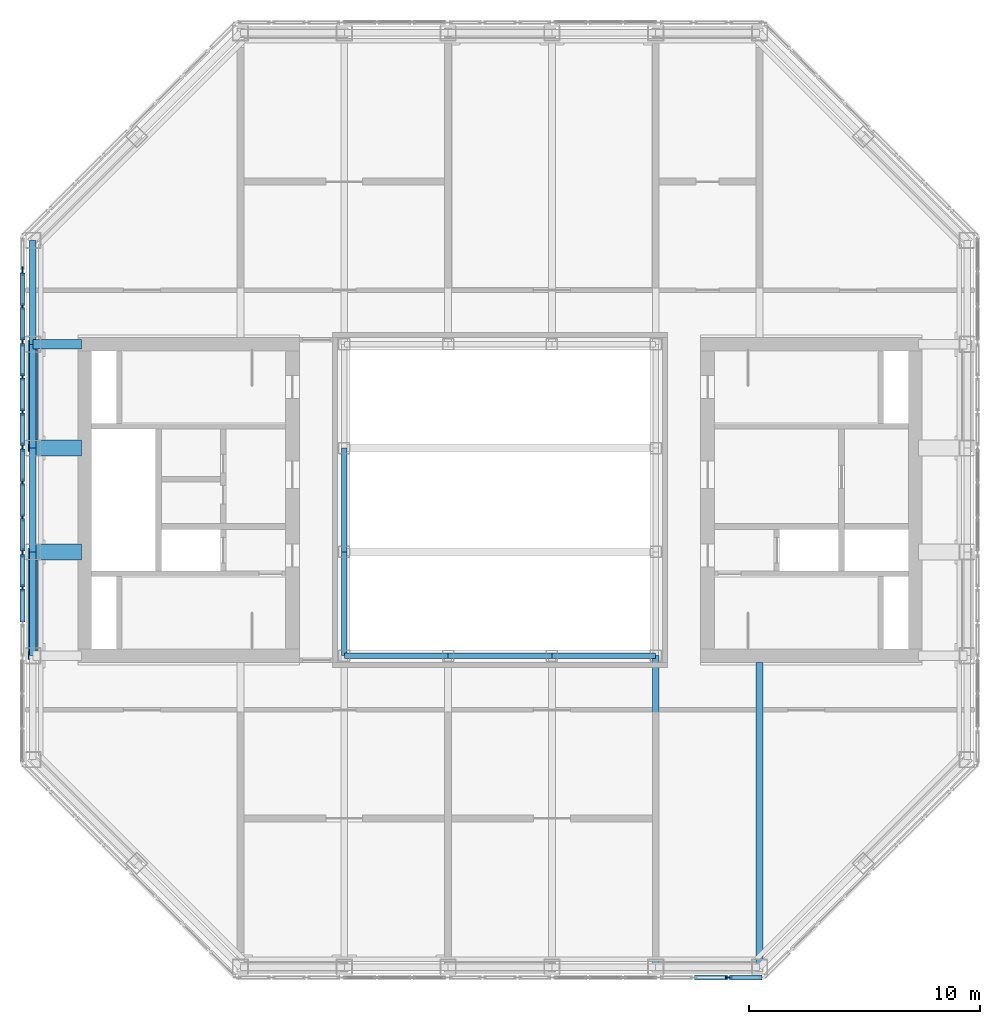
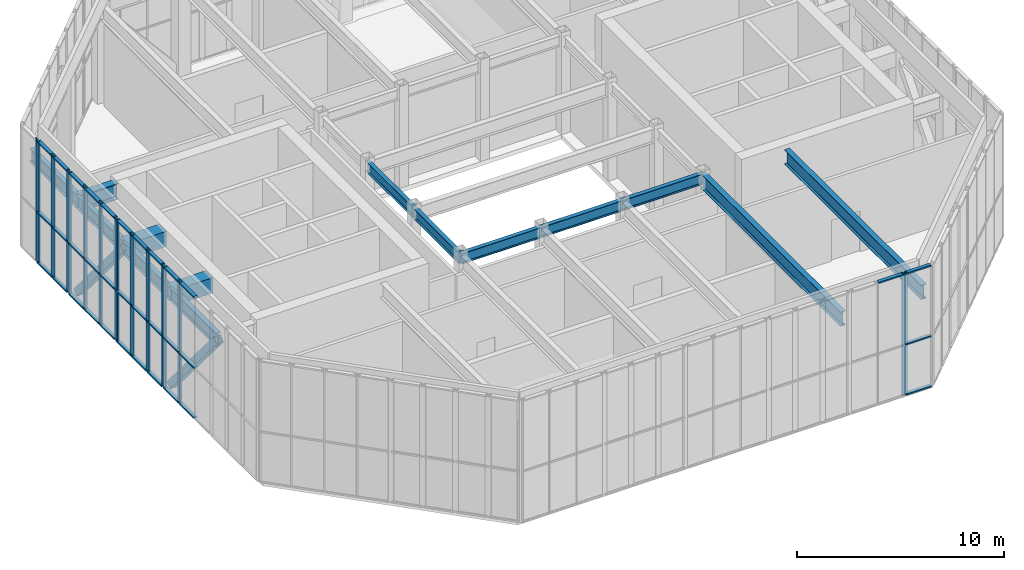
# One storey, part 4 of 15: 51 members, 14 beams, 6 elements without a shape of their own.
"""IFC4 building model written with IfcOpenShell, lengths in metres."""

from ifc_helpers import new_model, si_unit, direction, frame, origin, origin_2d, place, context, subcontext, project, spatial, rectangle, hollow_rectangle, i_section, extrude, material, material_profile, profile_set, type_object, element, aggregate, save


model = new_model("IFC4")

# Units and contexts
model_context = context("Model", 3, precision=1e-05, world=origin(), true_north=direction((0.0, 1.0)))
body_context = subcontext(model_context, "Body", "Model", "MODEL_VIEW")
ifc_project = project(units=[si_unit("LENGTHUNIT", "METRE"), si_unit("AREAUNIT", "SQUARE_METRE"), si_unit("VOLUMEUNIT", "CUBIC_METRE"), si_unit("PLANEANGLEUNIT", "RADIAN"), si_unit("MASSUNIT", "GRAM", prefix="KILO")], contexts=[model_context])

# Site, building, storey
site_placement = place(None, origin())
site = spatial("IfcSite", under=ifc_project, at=site_placement, CompositionType="ELEMENT")
building_placement = place(site_placement, origin())
building = spatial("IfcBuilding", under=site, at=building_placement, Name="Msasa Ring Tower", CompositionType="ELEMENT")
storey_placement = place(building_placement, frame((0.0, 0.0, 268.050048828125)))
storey = spatial("IfcBuildingStorey", under=building, at=storey_placement, Name="L69", CompositionType="ELEMENT", Elevation=268.050048828125)

# Curtain wall, members
ifc_material_1 = material(Name="Aluminium curtain wall with clear glass", Category="aluminium")
curtain_wall_type_1 = type_object("IfcCurtainWallType", Name="CW-L LANTERN CURTAIN WALL", PredefinedType="NOTDEFINED", material=ifc_material_1)
curtain_wall_1_placement = place(storey_placement, origin())
curtain_wall_1 = element("IfcCurtainWall", 1, at=curtain_wall_1_placement, inside=storey, type_object=curtain_wall_type_1, Name="Lantern curtain wall W2 L69", PredefinedType="NOTDEFINED")
ifc_material_2 = material(Name="Aluminium mullion", Category="aluminium")
ifc_material_profile_1 = material_profile(ifc_material_2, rectangle(XDim=0.080078125, YDim=0.300048828125, at=origin_2d()), Name="AL 80x300")
ifc_profile_set_1 = profile_set([ifc_material_profile_1], Name="Aluminium mullion")
member_type_1 = type_object("IfcMemberType", Name="CW-L MULLION 80x300", PredefinedType="MULLION", material=ifc_profile_set_1)
member_1_placement = place(storey_placement, frame((-20.699951171875, 9.87158203125, 0.0), z_axis=(0.0, 0.0, 1.0), x_axis=(1.0, 0.0, 0.0)))
member_1 = element("IfcMember", 2, at=member_1_placement, type_object=member_type_1, Name="CW-L mullion 1", PredefinedType="MULLION", context=body_context, shape_type="SweptSolid", body=[
    extrude(rectangle(XDim=0.080078125, YDim=0.300048828125, at=origin_2d()), origin(), (0.0, 0.0, 1.0), 7.199951171875),
])
member_2_placement = place(storey_placement, frame((-20.699951171875, 8.38671875, 0.0), z_axis=(0.0, 0.0, 1.0), x_axis=(1.0, 0.0, 0.0)))
member_2 = element("IfcMember", 3, at=member_2_placement, type_object=member_type_1, Name="CW-L mullion 2", PredefinedType="MULLION", context=body_context, shape_type="SweptSolid", body=[
    extrude(rectangle(XDim=0.080078125, YDim=0.300048828125, at=origin_2d()), origin(), (0.0, 0.0, 1.0), 7.199951171875),
])
member_3_placement = place(storey_placement, frame((-20.699951171875, 6.90185546875, 0.0), z_axis=(0.0, 0.0, 1.0), x_axis=(1.0, 0.0, 0.0)))
member_3 = element("IfcMember", 4, at=member_3_placement, type_object=member_type_1, Name="CW-L mullion 3", PredefinedType="MULLION", context=body_context, shape_type="SweptSolid", body=[
    extrude(rectangle(XDim=0.080078125, YDim=0.300048828125, at=origin_2d()), origin(), (0.0, 0.0, 1.0), 7.199951171875),
])

curtain_wall_2_placement = place(storey_placement, origin())
curtain_wall_2 = element("IfcCurtainWall", 5, at=curtain_wall_2_placement, inside=storey, type_object=curtain_wall_type_1, Name="Lantern curtain wall W4 L69", PredefinedType="NOTDEFINED")
member_4_placement = place(storey_placement, frame((-20.699951171875, 2.247314453125, 0.0), z_axis=(0.0, 0.0, 1.0), x_axis=(1.0, 0.0, 0.0)))
member_4 = element("IfcMember", 6, at=member_4_placement, type_object=member_type_1, Name="CW-L mullion 1", PredefinedType="MULLION", context=body_context, shape_type="SweptSolid", body=[
    extrude(rectangle(XDim=0.080078125, YDim=0.300048828125, at=origin_2d()), origin(), (0.0, 0.0, 1.0), 7.199951171875),
])
member_5_placement = place(storey_placement, frame((-20.699951171875, 0.762451171875, 0.0), z_axis=(0.0, 0.0, 1.0), x_axis=(1.0, 0.0, 0.0)))
member_5 = element("IfcMember", 7, at=member_5_placement, type_object=member_type_1, Name="CW-L mullion 2", PredefinedType="MULLION", context=body_context, shape_type="SweptSolid", body=[
    extrude(rectangle(XDim=0.080078125, YDim=0.300048828125, at=origin_2d()), origin(), (0.0, 0.0, 1.0), 7.199951171875),
])
member_6_placement = place(storey_placement, frame((-20.699951171875, -0.762451171875, 0.0), z_axis=(0.0, 0.0, 1.0), x_axis=(1.0, 0.0, 0.0)))
member_6 = element("IfcMember", 8, at=member_6_placement, type_object=member_type_1, Name="CW-L mullion 3", PredefinedType="MULLION", context=body_context, shape_type="SweptSolid", body=[
    extrude(rectangle(XDim=0.080078125, YDim=0.300048828125, at=origin_2d()), origin(), (0.0, 0.0, 1.0), 7.199951171875),
])
member_7_placement = place(storey_placement, frame((-20.699951171875, -2.247314453125, 0.0), z_axis=(0.0, 0.0, 1.0), x_axis=(1.0, 0.0, 0.0)))
member_7 = element("IfcMember", 9, at=member_7_placement, type_object=member_type_1, Name="CW-L mullion 4", PredefinedType="MULLION", context=body_context, shape_type="SweptSolid", body=[
    extrude(rectangle(XDim=0.080078125, YDim=0.300048828125, at=origin_2d()), origin(), (0.0, 0.0, 1.0), 7.199951171875),
])

# Member
ifc_material_3 = material(Name="Aluminium transom", Category="aluminium")
ifc_material_profile_2 = material_profile(ifc_material_3, rectangle(XDim=0.199951171875, YDim=0.080078125, at=origin_2d()), Name="AL 80x200")
ifc_profile_set_2 = profile_set([ifc_material_profile_2], Name="Aluminium transom")
member_type_2 = type_object("IfcMemberType", Name="CW-L TRANSOM 80x200", PredefinedType="USERDEFINED", material=ifc_profile_set_2)
member_8_placement = place(storey_placement, frame((-20.699951171875, 9.83154296875, 0.0400390625), z_axis=(0.0, -1.0, 0.0), x_axis=(1.0, 0.0, 0.0)))
member_8 = element("IfcMember", 10, at=member_8_placement, type_object=member_type_2, Name="CW-L transom 1.1", ObjectType="TRANSOM", PredefinedType="USERDEFINED", context=body_context, shape_type="SweptSolid", body=[
    extrude(rectangle(XDim=0.199951171875, YDim=0.080078125, at=origin_2d()), origin(), (0.0, 0.0, 1.0), 1.40478515625),
])

member_9_placement = place(storey_placement, frame((-20.699951171875, 9.83154296875, 3.0), z_axis=(0.0, -1.0, 0.0), x_axis=(1.0, 0.0, 0.0)))
member_9 = element("IfcMember", 11, at=member_9_placement, type_object=member_type_2, Name="CW-L transom 1.2", ObjectType="TRANSOM", PredefinedType="USERDEFINED", context=body_context, shape_type="SweptSolid", body=[
    extrude(rectangle(XDim=0.199951171875, YDim=0.080078125, at=origin_2d()), origin(), (0.0, 0.0, 1.0), 1.40478515625),
])

member_10_placement = place(storey_placement, frame((-20.699951171875, 9.83154296875, 7.159912109375), z_axis=(0.0, -1.0, 0.0), x_axis=(1.0, 0.0, 0.0)))
member_10 = element("IfcMember", 12, at=member_10_placement, type_object=member_type_2, Name="CW-L transom 1.3", ObjectType="TRANSOM", PredefinedType="USERDEFINED", context=body_context, shape_type="SweptSolid", body=[
    extrude(rectangle(XDim=0.199951171875, YDim=0.080078125, at=origin_2d()), origin(), (0.0, 0.0, 1.0), 1.40478515625),
])

member_11_placement = place(storey_placement, frame((-20.699951171875, 8.3466796875, 0.0400390625), z_axis=(0.0, -1.0, 0.0), x_axis=(1.0, 0.0, 0.0)))
member_11 = element("IfcMember", 13, at=member_11_placement, type_object=member_type_2, Name="CW-L transom 2.1", ObjectType="TRANSOM", PredefinedType="USERDEFINED", context=body_context, shape_type="SweptSolid", body=[
    extrude(rectangle(XDim=0.199951171875, YDim=0.080078125, at=origin_2d()), origin(), (0.0, 0.0, 1.0), 1.40478515625),
])

member_12_placement = place(storey_placement, frame((-20.699951171875, 8.3466796875, 3.0), z_axis=(0.0, -1.0, 0.0), x_axis=(1.0, 0.0, 0.0)))
member_12 = element("IfcMember", 14, at=member_12_placement, type_object=member_type_2, Name="CW-L transom 2.2", ObjectType="TRANSOM", PredefinedType="USERDEFINED", context=body_context, shape_type="SweptSolid", body=[
    extrude(rectangle(XDim=0.199951171875, YDim=0.080078125, at=origin_2d()), origin(), (0.0, 0.0, 1.0), 1.40478515625),
])

member_13_placement = place(storey_placement, frame((-20.699951171875, 8.3466796875, 7.159912109375), z_axis=(0.0, -1.0, 0.0), x_axis=(1.0, 0.0, 0.0)))
member_13 = element("IfcMember", 15, at=member_13_placement, type_object=member_type_2, Name="CW-L transom 2.3", ObjectType="TRANSOM", PredefinedType="USERDEFINED", context=body_context, shape_type="SweptSolid", body=[
    extrude(rectangle(XDim=0.199951171875, YDim=0.080078125, at=origin_2d()), origin(), (0.0, 0.0, 1.0), 1.40478515625),
])

aggregate(curtain_wall_1, [member_1, member_2, member_3, member_8, member_9, member_10, member_11, member_12, member_13])

member_14_placement = place(storey_placement, frame((-20.699951171875, 2.207275390625, 0.0400390625), z_axis=(0.0, -1.0, 0.0), x_axis=(1.0, 0.0, 0.0)))
member_14 = element("IfcMember", 16, at=member_14_placement, type_object=member_type_2, Name="CW-L transom 1.1", ObjectType="TRANSOM", PredefinedType="USERDEFINED", context=body_context, shape_type="SweptSolid", body=[
    extrude(rectangle(XDim=0.199951171875, YDim=0.080078125, at=origin_2d()), origin(), (0.0, 0.0, 1.0), 1.40478515625),
])

member_15_placement = place(storey_placement, frame((-20.699951171875, 2.207275390625, 3.0), z_axis=(0.0, -1.0, 0.0), x_axis=(1.0, 0.0, 0.0)))
member_15 = element("IfcMember", 17, at=member_15_placement, type_object=member_type_2, Name="CW-L transom 1.2", ObjectType="TRANSOM", PredefinedType="USERDEFINED", context=body_context, shape_type="SweptSolid", body=[
    extrude(rectangle(XDim=0.199951171875, YDim=0.080078125, at=origin_2d()), origin(), (0.0, 0.0, 1.0), 1.40478515625),
])

member_16_placement = place(storey_placement, frame((-20.699951171875, 2.207275390625, 7.159912109375), z_axis=(0.0, -1.0, 0.0), x_axis=(1.0, 0.0, 0.0)))
member_16 = element("IfcMember", 18, at=member_16_placement, type_object=member_type_2, Name="CW-L transom 1.3", ObjectType="TRANSOM", PredefinedType="USERDEFINED", context=body_context, shape_type="SweptSolid", body=[
    extrude(rectangle(XDim=0.199951171875, YDim=0.080078125, at=origin_2d()), origin(), (0.0, 0.0, 1.0), 1.40478515625),
])

member_17_placement = place(storey_placement, frame((-20.699951171875, 0.722412109375, 0.0400390625), z_axis=(0.0, -1.0, 0.0), x_axis=(1.0, 0.0, 0.0)))
member_17 = element("IfcMember", 19, at=member_17_placement, type_object=member_type_2, Name="CW-L transom 2.1", ObjectType="TRANSOM", PredefinedType="USERDEFINED", context=body_context, shape_type="SweptSolid", body=[
    extrude(rectangle(XDim=0.199951171875, YDim=0.080078125, at=origin_2d()), origin(), (0.0, 0.0, 1.0), 1.44482421875),
])

member_18_placement = place(storey_placement, frame((-20.699951171875, 0.722412109375, 3.0), z_axis=(0.0, -1.0, 0.0), x_axis=(1.0, 0.0, 0.0)))
member_18 = element("IfcMember", 20, at=member_18_placement, type_object=member_type_2, Name="CW-L transom 2.2", ObjectType="TRANSOM", PredefinedType="USERDEFINED", context=body_context, shape_type="SweptSolid", body=[
    extrude(rectangle(XDim=0.199951171875, YDim=0.080078125, at=origin_2d()), origin(), (0.0, 0.0, 1.0), 1.44482421875),
])

member_19_placement = place(storey_placement, frame((-20.699951171875, 0.722412109375, 7.159912109375), z_axis=(0.0, -1.0, 0.0), x_axis=(1.0, 0.0, 0.0)))
member_19 = element("IfcMember", 21, at=member_19_placement, type_object=member_type_2, Name="CW-L transom 2.3", ObjectType="TRANSOM", PredefinedType="USERDEFINED", context=body_context, shape_type="SweptSolid", body=[
    extrude(rectangle(XDim=0.199951171875, YDim=0.080078125, at=origin_2d()), origin(), (0.0, 0.0, 1.0), 1.44482421875),
])

member_20_placement = place(storey_placement, frame((-20.699951171875, -0.802490234375, 0.0400390625), z_axis=(0.0, -1.0, 0.0), x_axis=(1.0, 0.0, 0.0)))
member_20 = element("IfcMember", 22, at=member_20_placement, type_object=member_type_2, Name="CW-L transom 3.1", ObjectType="TRANSOM", PredefinedType="USERDEFINED", context=body_context, shape_type="SweptSolid", body=[
    extrude(rectangle(XDim=0.199951171875, YDim=0.080078125, at=origin_2d()), origin(), (0.0, 0.0, 1.0), 1.40478515625),
])

member_21_placement = place(storey_placement, frame((-20.699951171875, -0.802490234375, 3.0), z_axis=(0.0, -1.0, 0.0), x_axis=(1.0, 0.0, 0.0)))
member_21 = element("IfcMember", 23, at=member_21_placement, type_object=member_type_2, Name="CW-L transom 3.2", ObjectType="TRANSOM", PredefinedType="USERDEFINED", context=body_context, shape_type="SweptSolid", body=[
    extrude(rectangle(XDim=0.199951171875, YDim=0.080078125, at=origin_2d()), origin(), (0.0, 0.0, 1.0), 1.40478515625),
])

member_22_placement = place(storey_placement, frame((-20.699951171875, -0.802490234375, 7.159912109375), z_axis=(0.0, -1.0, 0.0), x_axis=(1.0, 0.0, 0.0)))
member_22 = element("IfcMember", 24, at=member_22_placement, type_object=member_type_2, Name="CW-L transom 3.3", ObjectType="TRANSOM", PredefinedType="USERDEFINED", context=body_context, shape_type="SweptSolid", body=[
    extrude(rectangle(XDim=0.199951171875, YDim=0.080078125, at=origin_2d()), origin(), (0.0, 0.0, 1.0), 1.40478515625),
])

aggregate(curtain_wall_2, [member_4, member_5, member_6, member_7, member_14, member_15, member_16, member_17, member_18, member_19, member_20, member_21, member_22])

# Curtain wall, member
ifc_material_4 = material(Name="Aluminium curtain wall with insulated terracotta-faced panels", Category="masonry")
curtain_wall_type_2 = type_object("IfcCurtainWallType", Name="CW-O OPAQUE LANTERN CURTAIN WALL", PredefinedType="NOTDEFINED", material=ifc_material_4)
curtain_wall_3_placement = place(storey_placement, origin())
curtain_wall_3 = element("IfcCurtainWall", 25, at=curtain_wall_3_placement, inside=storey, type_object=curtain_wall_type_2, Name="Lantern opaque curtain wall S5 L69", PredefinedType="NOTDEFINED")
ifc_material_5 = material(Name="Aluminium mullion", Category="aluminium")
ifc_material_profile_3 = material_profile(ifc_material_5, rectangle(XDim=0.080078125, YDim=0.300048828125, at=origin_2d()), Name="AL 80x300")
ifc_profile_set_3 = profile_set([ifc_material_profile_3], Name="Aluminium mullion")
member_type_3 = type_object("IfcMemberType", Name="CW-O MULLION 80x300", PredefinedType="MULLION", material=ifc_profile_set_3)
member_23_placement = place(storey_placement, frame((9.91162109375, -20.699951171875, 0.0), z_axis=(0.0, 0.0, 1.0), x_axis=(0.0, 1.0, 0.0)))
member_23 = element("IfcMember", 26, at=member_23_placement, type_object=member_type_3, Name="CW-O mullion 3", PredefinedType="MULLION", context=body_context, shape_type="SweptSolid", body=[
    extrude(rectangle(XDim=0.080078125, YDim=0.300048828125, at=origin_2d()), origin(), (0.0, 0.0, 1.0), 7.199951171875),
])

curtain_wall_4_placement = place(storey_placement, origin())
curtain_wall_4 = element("IfcCurtainWall", 27, at=curtain_wall_4_placement, inside=storey, type_object=curtain_wall_type_2, Name="Lantern opaque curtain wall W1 L69", PredefinedType="NOTDEFINED")
member_24_placement = place(storey_placement, frame((-20.699951171875, 9.951416015625, 0.0), z_axis=(0.0, 0.0, 1.0), x_axis=(1.0, 0.0, 0.0)))
member_24 = element("IfcMember", 28, at=member_24_placement, type_object=member_type_3, Name="CW-O mullion 2", PredefinedType="MULLION", context=body_context, shape_type="SweptSolid", body=[
    extrude(rectangle(XDim=0.080078125, YDim=0.300048828125, at=origin_2d()), origin(), (0.0, 0.0, 1.0), 7.199951171875),
])
aggregate(curtain_wall_4, [member_24])

# Curtain wall, members
curtain_wall_5_placement = place(storey_placement, origin())
curtain_wall_5 = element("IfcCurtainWall", 29, at=curtain_wall_5_placement, inside=storey, type_object=curtain_wall_type_2, Name="Lantern opaque curtain wall W3 L69", PredefinedType="NOTDEFINED")
member_25_placement = place(storey_placement, frame((-20.699951171875, 6.82177734375, 0.0), z_axis=(0.0, 0.0, 1.0), x_axis=(1.0, 0.0, 0.0)))
member_25 = element("IfcMember", 30, at=member_25_placement, type_object=member_type_3, Name="CW-O mullion 1", PredefinedType="MULLION", context=body_context, shape_type="SweptSolid", body=[
    extrude(rectangle(XDim=0.080078125, YDim=0.300048828125, at=origin_2d()), origin(), (0.0, 0.0, 1.0), 7.199951171875),
])
member_26_placement = place(storey_placement, frame((-20.699951171875, 5.3369140625, 0.0), z_axis=(0.0, 0.0, 1.0), x_axis=(1.0, 0.0, 0.0)))
member_26 = element("IfcMember", 31, at=member_26_placement, type_object=member_type_3, Name="CW-O mullion 2", PredefinedType="MULLION", context=body_context, shape_type="SweptSolid", body=[
    extrude(rectangle(XDim=0.080078125, YDim=0.300048828125, at=origin_2d()), origin(), (0.0, 0.0, 1.0), 7.199951171875),
])
member_27_placement = place(storey_placement, frame((-20.699951171875, 3.81201171875, 0.0), z_axis=(0.0, 0.0, 1.0), x_axis=(1.0, 0.0, 0.0)))
member_27 = element("IfcMember", 32, at=member_27_placement, type_object=member_type_3, Name="CW-O mullion 3", PredefinedType="MULLION", context=body_context, shape_type="SweptSolid", body=[
    extrude(rectangle(XDim=0.080078125, YDim=0.300048828125, at=origin_2d()), origin(), (0.0, 0.0, 1.0), 7.199951171875),
])
member_28_placement = place(storey_placement, frame((-20.699951171875, 2.327392578125, 0.0), z_axis=(0.0, 0.0, 1.0), x_axis=(1.0, 0.0, 0.0)))
member_28 = element("IfcMember", 33, at=member_28_placement, type_object=member_type_3, Name="CW-O mullion 4", PredefinedType="MULLION", context=body_context, shape_type="SweptSolid", body=[
    extrude(rectangle(XDim=0.080078125, YDim=0.300048828125, at=origin_2d()), origin(), (0.0, 0.0, 1.0), 7.199951171875),
])

curtain_wall_6_placement = place(storey_placement, origin())
curtain_wall_6 = element("IfcCurtainWall", 34, at=curtain_wall_6_placement, inside=storey, type_object=curtain_wall_type_2, Name="Lantern opaque curtain wall W5 L69", PredefinedType="NOTDEFINED")
member_29_placement = place(storey_placement, frame((-20.699951171875, -2.327392578125, 0.0), z_axis=(0.0, 0.0, 1.0), x_axis=(1.0, 0.0, 0.0)))
member_29 = element("IfcMember", 35, at=member_29_placement, type_object=member_type_3, Name="CW-O mullion 1", PredefinedType="MULLION", context=body_context, shape_type="SweptSolid", body=[
    extrude(rectangle(XDim=0.080078125, YDim=0.300048828125, at=origin_2d()), origin(), (0.0, 0.0, 1.0), 7.199951171875),
])
member_30_placement = place(storey_placement, frame((-20.699951171875, -3.81201171875, 0.0), z_axis=(0.0, 0.0, 1.0), x_axis=(1.0, 0.0, 0.0)))
member_30 = element("IfcMember", 36, at=member_30_placement, type_object=member_type_3, Name="CW-O mullion 2", PredefinedType="MULLION", context=body_context, shape_type="SweptSolid", body=[
    extrude(rectangle(XDim=0.080078125, YDim=0.300048828125, at=origin_2d()), origin(), (0.0, 0.0, 1.0), 7.199951171875),
])

# Member
ifc_material_6 = material(Name="Aluminium transom", Category="aluminium")
ifc_material_profile_4 = material_profile(ifc_material_6, rectangle(XDim=0.199951171875, YDim=0.080078125, at=origin_2d()), Name="AL 80x200")
ifc_profile_set_4 = profile_set([ifc_material_profile_4], Name="Aluminium transom")
member_type_4 = type_object("IfcMemberType", Name="CW-O TRANSOM 80x200", PredefinedType="USERDEFINED", material=ifc_profile_set_4)
member_31_placement = place(storey_placement, frame((8.4267578125, -20.699951171875, 7.159912109375), z_axis=(1.0, 0.0, 0.0), x_axis=(0.0, 1.0, 0.0)))
member_31 = element("IfcMember", 37, at=member_31_placement, type_object=member_type_4, Name="CW-O transom 2.3", ObjectType="TRANSOM", PredefinedType="USERDEFINED", context=body_context, shape_type="SweptSolid", body=[
    extrude(rectangle(XDim=0.199951171875, YDim=0.080078125, at=origin_2d()), origin(), (0.0, 0.0, 1.0), 1.44482421875),
])

member_32_placement = place(storey_placement, frame((9.951416015625, -20.699951171875, 0.0400390625), z_axis=(1.0, 0.0, 0.0), x_axis=(0.0, 1.0, 0.0)))
member_32 = element("IfcMember", 38, at=member_32_placement, type_object=member_type_4, Name="CW-O transom 3.1", ObjectType="TRANSOM", PredefinedType="USERDEFINED", context=body_context, shape_type="SweptSolid", body=[
    extrude(rectangle(XDim=0.199951171875, YDim=0.080078125, at=origin_2d()), origin(), (0.0, 0.0, 1.0), 1.405029296875),
])

member_33_placement = place(storey_placement, frame((9.951416015625, -20.699951171875, 3.0), z_axis=(1.0, 0.0, 0.0), x_axis=(0.0, 1.0, 0.0)))
member_33 = element("IfcMember", 39, at=member_33_placement, type_object=member_type_4, Name="CW-O transom 3.2", ObjectType="TRANSOM", PredefinedType="USERDEFINED", context=body_context, shape_type="SweptSolid", body=[
    extrude(rectangle(XDim=0.199951171875, YDim=0.080078125, at=origin_2d()), origin(), (0.0, 0.0, 1.0), 1.405029296875),
])

member_34_placement = place(storey_placement, frame((9.951416015625, -20.699951171875, 7.159912109375), z_axis=(1.0, 0.0, 0.0), x_axis=(0.0, 1.0, 0.0)))
member_34 = element("IfcMember", 40, at=member_34_placement, type_object=member_type_4, Name="CW-O transom 3.3", ObjectType="TRANSOM", PredefinedType="USERDEFINED", context=body_context, shape_type="SweptSolid", body=[
    extrude(rectangle(XDim=0.199951171875, YDim=0.080078125, at=origin_2d()), origin(), (0.0, 0.0, 1.0), 1.405029296875),
])

aggregate(curtain_wall_3, [member_23, member_31, member_32, member_33, member_34])

member_35_placement = place(storey_placement, frame((-20.699951171875, 6.78173828125, 0.0400390625), z_axis=(0.0, -1.0, 0.0), x_axis=(1.0, 0.0, 0.0)))
member_35 = element("IfcMember", 41, at=member_35_placement, type_object=member_type_4, Name="CW-O transom 1.1", ObjectType="TRANSOM", PredefinedType="USERDEFINED", context=body_context, shape_type="SweptSolid", body=[
    extrude(rectangle(XDim=0.199951171875, YDim=0.080078125, at=origin_2d()), origin(), (0.0, 0.0, 1.0), 1.40478515625),
])

member_36_placement = place(storey_placement, frame((-20.699951171875, 6.78173828125, 3.0), z_axis=(0.0, -1.0, 0.0), x_axis=(1.0, 0.0, 0.0)))
member_36 = element("IfcMember", 42, at=member_36_placement, type_object=member_type_4, Name="CW-O transom 1.2", ObjectType="TRANSOM", PredefinedType="USERDEFINED", context=body_context, shape_type="SweptSolid", body=[
    extrude(rectangle(XDim=0.199951171875, YDim=0.080078125, at=origin_2d()), origin(), (0.0, 0.0, 1.0), 1.40478515625),
])

member_37_placement = place(storey_placement, frame((-20.699951171875, 6.78173828125, 7.159912109375), z_axis=(0.0, -1.0, 0.0), x_axis=(1.0, 0.0, 0.0)))
member_37 = element("IfcMember", 43, at=member_37_placement, type_object=member_type_4, Name="CW-O transom 1.3", ObjectType="TRANSOM", PredefinedType="USERDEFINED", context=body_context, shape_type="SweptSolid", body=[
    extrude(rectangle(XDim=0.199951171875, YDim=0.080078125, at=origin_2d()), origin(), (0.0, 0.0, 1.0), 1.40478515625),
])

member_38_placement = place(storey_placement, frame((-20.699951171875, 5.296875, 0.0400390625), z_axis=(0.0, -1.0, 0.0), x_axis=(1.0, 0.0, 0.0)))
member_38 = element("IfcMember", 44, at=member_38_placement, type_object=member_type_4, Name="CW-O transom 2.1", ObjectType="TRANSOM", PredefinedType="USERDEFINED", context=body_context, shape_type="SweptSolid", body=[
    extrude(rectangle(XDim=0.199951171875, YDim=0.080078125, at=origin_2d()), origin(), (0.0, 0.0, 1.0), 1.44482421875),
])

member_39_placement = place(storey_placement, frame((-20.699951171875, 5.296875, 3.0), z_axis=(0.0, -1.0, 0.0), x_axis=(1.0, 0.0, 0.0)))
member_39 = element("IfcMember", 45, at=member_39_placement, type_object=member_type_4, Name="CW-O transom 2.2", ObjectType="TRANSOM", PredefinedType="USERDEFINED", context=body_context, shape_type="SweptSolid", body=[
    extrude(rectangle(XDim=0.199951171875, YDim=0.080078125, at=origin_2d()), origin(), (0.0, 0.0, 1.0), 1.44482421875),
])

member_40_placement = place(storey_placement, frame((-20.699951171875, 5.296875, 7.159912109375), z_axis=(0.0, -1.0, 0.0), x_axis=(1.0, 0.0, 0.0)))
member_40 = element("IfcMember", 46, at=member_40_placement, type_object=member_type_4, Name="CW-O transom 2.3", ObjectType="TRANSOM", PredefinedType="USERDEFINED", context=body_context, shape_type="SweptSolid", body=[
    extrude(rectangle(XDim=0.199951171875, YDim=0.080078125, at=origin_2d()), origin(), (0.0, 0.0, 1.0), 1.44482421875),
])

member_41_placement = place(storey_placement, frame((-20.699951171875, 3.772216796875, 0.0400390625), z_axis=(0.0, -1.0, 0.0), x_axis=(1.0, 0.0, 0.0)))
member_41 = element("IfcMember", 47, at=member_41_placement, type_object=member_type_4, Name="CW-O transom 3.1", ObjectType="TRANSOM", PredefinedType="USERDEFINED", context=body_context, shape_type="SweptSolid", body=[
    extrude(rectangle(XDim=0.199951171875, YDim=0.080078125, at=origin_2d()), origin(), (0.0, 0.0, 1.0), 1.405029296875),
])

member_42_placement = place(storey_placement, frame((-20.699951171875, 3.772216796875, 3.0), z_axis=(0.0, -1.0, 0.0), x_axis=(1.0, 0.0, 0.0)))
member_42 = element("IfcMember", 48, at=member_42_placement, type_object=member_type_4, Name="CW-O transom 3.2", ObjectType="TRANSOM", PredefinedType="USERDEFINED", context=body_context, shape_type="SweptSolid", body=[
    extrude(rectangle(XDim=0.199951171875, YDim=0.080078125, at=origin_2d()), origin(), (0.0, 0.0, 1.0), 1.405029296875),
])

member_43_placement = place(storey_placement, frame((-20.699951171875, 3.772216796875, 7.159912109375), z_axis=(0.0, -1.0, 0.0), x_axis=(1.0, 0.0, 0.0)))
member_43 = element("IfcMember", 49, at=member_43_placement, type_object=member_type_4, Name="CW-O transom 3.3", ObjectType="TRANSOM", PredefinedType="USERDEFINED", context=body_context, shape_type="SweptSolid", body=[
    extrude(rectangle(XDim=0.199951171875, YDim=0.080078125, at=origin_2d()), origin(), (0.0, 0.0, 1.0), 1.405029296875),
])

aggregate(curtain_wall_5, [member_25, member_26, member_27, member_28, member_35, member_36, member_37, member_38, member_39, member_40, member_41, member_42, member_43])

member_44_placement = place(storey_placement, frame((-20.699951171875, -2.3671875, 0.0400390625), z_axis=(0.0, -1.0, 0.0), x_axis=(1.0, 0.0, 0.0)))
member_44 = element("IfcMember", 50, at=member_44_placement, type_object=member_type_4, Name="CW-O transom 1.1", ObjectType="TRANSOM", PredefinedType="USERDEFINED", context=body_context, shape_type="SweptSolid", body=[
    extrude(rectangle(XDim=0.199951171875, YDim=0.080078125, at=origin_2d()), origin(), (0.0, 0.0, 1.0), 1.405029296875),
])

member_45_placement = place(storey_placement, frame((-20.699951171875, -2.3671875, 3.0), z_axis=(0.0, -1.0, 0.0), x_axis=(1.0, 0.0, 0.0)))
member_45 = element("IfcMember", 51, at=member_45_placement, type_object=member_type_4, Name="CW-O transom 1.2", ObjectType="TRANSOM", PredefinedType="USERDEFINED", context=body_context, shape_type="SweptSolid", body=[
    extrude(rectangle(XDim=0.199951171875, YDim=0.080078125, at=origin_2d()), origin(), (0.0, 0.0, 1.0), 1.405029296875),
])

member_46_placement = place(storey_placement, frame((-20.699951171875, -2.3671875, 7.159912109375), z_axis=(0.0, -1.0, 0.0), x_axis=(1.0, 0.0, 0.0)))
member_46 = element("IfcMember", 52, at=member_46_placement, type_object=member_type_4, Name="CW-O transom 1.3", ObjectType="TRANSOM", PredefinedType="USERDEFINED", context=body_context, shape_type="SweptSolid", body=[
    extrude(rectangle(XDim=0.199951171875, YDim=0.080078125, at=origin_2d()), origin(), (0.0, 0.0, 1.0), 1.405029296875),
])

member_47_placement = place(storey_placement, frame((-20.699951171875, -3.85205078125, 0.0400390625), z_axis=(0.0, -1.0, 0.0), x_axis=(1.0, 0.0, 0.0)))
member_47 = element("IfcMember", 53, at=member_47_placement, type_object=member_type_4, Name="CW-O transom 2.1", ObjectType="TRANSOM", PredefinedType="USERDEFINED", context=body_context, shape_type="SweptSolid", body=[
    extrude(rectangle(XDim=0.199951171875, YDim=0.080078125, at=origin_2d()), origin(), (0.0, 0.0, 1.0), 1.44482421875),
])

member_48_placement = place(storey_placement, frame((-20.699951171875, -3.85205078125, 3.0), z_axis=(0.0, -1.0, 0.0), x_axis=(1.0, 0.0, 0.0)))
member_48 = element("IfcMember", 54, at=member_48_placement, type_object=member_type_4, Name="CW-O transom 2.2", ObjectType="TRANSOM", PredefinedType="USERDEFINED", context=body_context, shape_type="SweptSolid", body=[
    extrude(rectangle(XDim=0.199951171875, YDim=0.080078125, at=origin_2d()), origin(), (0.0, 0.0, 1.0), 1.44482421875),
])

member_49_placement = place(storey_placement, frame((-20.699951171875, -3.85205078125, 7.159912109375), z_axis=(0.0, -1.0, 0.0), x_axis=(1.0, 0.0, 0.0)))
member_49 = element("IfcMember", 55, at=member_49_placement, type_object=member_type_4, Name="CW-O transom 2.3", ObjectType="TRANSOM", PredefinedType="USERDEFINED", context=body_context, shape_type="SweptSolid", body=[
    extrude(rectangle(XDim=0.199951171875, YDim=0.080078125, at=origin_2d()), origin(), (0.0, 0.0, 1.0), 1.44482421875),
])

aggregate(curtain_wall_6, [member_29, member_30, member_44, member_45, member_46, member_47, member_48, member_49])

# Beams
ifc_material_7 = material(Name="Steel S355", Category="steel")
ifc_material_profile_5 = material_profile(ifc_material_7, hollow_rectangle(XDim=0.699951171875, YDim=0.89990234375, WallThickness=0.080078125, at=origin_2d()), Name="BOX 900x700x80")
ifc_profile_set_5 = profile_set([ifc_material_profile_5], Name="Steel S355")
beam_type_1 = type_object("IfcBeamType", Name="FB4 BOX 900x700x80", PredefinedType="BEAM", material=ifc_profile_set_5)
for number, where, z_axis, x_axis, name in (
    (56, (-20.25, -2.25, 5.300048828125), (1.0, 0.0, 0.0), (0.0, 1.0, 0.0), "Floor beam W -2.25 under roof"),
    (57, (-20.25, 2.25, 5.300048828125), (1.0, 0.0, 0.0), (0.0, 1.0, 0.0), "Floor beam W +2.25 under roof"),
):
    element("IfcBeam", number, at=place(storey_placement, frame(where, z_axis=z_axis, x_axis=x_axis)), inside=storey, type_object=beam_type_1, Name=name, PredefinedType="BEAM", context=body_context, shape_type="SweptSolid", body=[
        extrude(hollow_rectangle(XDim=0.699951171875, YDim=0.89990234375, WallThickness=0.080078125, at=origin_2d()), origin(), (0.0, 0.0, 1.0), 2.10009765625),
    ])
ifc_material_8 = material(Name="Steel S355", Category="steel")
ifc_material_profile_6 = material_profile(ifc_material_8, i_section(OverallWidth=0.293701171875, OverallDepth=0.850830078125, WebThickness=0.01611328125, FlangeThickness=0.02685546875, FilletRadius=0.017822265625, at=origin_2d()), Name="UB 838x292x226")
ifc_profile_set_6 = profile_set([ifc_material_profile_6], Name="Steel S355")
beam_type_2 = type_object("IfcBeamType", Name="FB5 UB 838x292x226", PredefinedType="BEAM", material=ifc_profile_set_6)
beam_1_placement = place(storey_placement, frame((6.75, -20.25, 5.324462890625), z_axis=(0.0, 1.0, 0.0), x_axis=(-1.0, 0.0, 0.0)))
element("IfcBeam", 58, at=beam_1_placement, inside=storey, type_object=beam_type_2, Name="Floor beam S+6.75 under roof", PredefinedType="BEAM", context=body_context, shape_type="SweptSolid", body=[
    extrude(i_section(OverallWidth=0.293701171875, OverallDepth=0.850830078125, WebThickness=0.01611328125, FlangeThickness=0.02685546875, FilletRadius=0.017822265625, at=origin_2d()), origin(), (0.0, 0.0, 1.0), 13.5),
])
beam_2_placement = place(storey_placement, frame((11.25, -20.25, 5.324462890625), z_axis=(0.0, 1.0, 0.0), x_axis=(-1.0, 0.0, 0.0)))
element("IfcBeam", 59, at=beam_2_placement, inside=storey, type_object=beam_type_2, Name="Floor beam S+11.25 under roof", PredefinedType="BEAM", context=body_context, shape_type="SweptSolid", body=[
    extrude(i_section(OverallWidth=0.293701171875, OverallDepth=0.850830078125, WebThickness=0.01611328125, FlangeThickness=0.02685546875, FilletRadius=0.017822265625, at=origin_2d()), origin(), (0.0, 0.0, 1.0), 13.199951171875),
])
ifc_material_9 = material(Name="Steel S355", Category="steel")
ifc_material_profile_7 = material_profile(ifc_material_9, i_section(OverallWidth=0.42041015625, OverallDepth=0.9208984375, WebThickness=0.021484375, FlangeThickness=0.03662109375, FilletRadius=0.024169921875, at=origin_2d()), Name="UB 914x419x388")
ifc_profile_set_7 = profile_set([ifc_material_profile_7], Name="Steel S355")
beam_type_3 = type_object("IfcBeamType", Name="GB1 UB 914x419x388", PredefinedType="BEAM", material=ifc_profile_set_7)
beam_3_placement = place(storey_placement, frame((-18.14990234375, 6.75, 5.28955078125), z_axis=(-1.0, 0.0, 0.0), x_axis=(0.0, -1.0, 0.0)))
element("IfcBeam", 60, at=beam_3_placement, inside=storey, type_object=beam_type_3, Name="Girder W +6.75 under roof", PredefinedType="BEAM", context=body_context, shape_type="SweptSolid", body=[
    extrude(i_section(OverallWidth=0.42041015625, OverallDepth=0.9208984375, WebThickness=0.021484375, FlangeThickness=0.03662109375, FilletRadius=0.024169921875, at=origin_2d()), origin(), (0.0, 0.0, 1.0), 2.10009765625),
])

# Members
ifc_material_10 = material(Name="Steel S355", Category="steel")
ifc_material_profile_8 = material_profile(ifc_material_10, hollow_rectangle(XDim=0.39990234375, YDim=0.39990234375, WallThickness=0.02001953125, at=origin_2d()), Name="SHS 400x400x20")
ifc_profile_set_8 = profile_set([ifc_material_profile_8], Name="Steel S355")
member_type_5 = type_object("IfcMemberType", Name="HT1 SHS 400x400x20", PredefinedType="BRACE", material=ifc_profile_set_8)
for number, where, z_axis, x_axis, name in (
    (61, (-20.25, -2.25, 0.0), (0.0, -0.642639992049, 0.766168284791), (1.0, 0.0, 0.0), "Hat truss brace W-2.25 L69"),
    (62, (-20.25, 6.75, 0.0), (0.0, -0.642639992049, 0.766168284791), (1.0, 0.0, 0.0), "Hat truss brace W+6.75 L69"),
):
    element("IfcMember", number, at=place(storey_placement, frame(where, z_axis=z_axis, x_axis=x_axis)), inside=storey, type_object=member_type_5, Name=name, PredefinedType="BRACE", context=body_context, shape_type="SweptSolid", body=[
        extrude(hollow_rectangle(XDim=0.39990234375, YDim=0.39990234375, WallThickness=0.02001953125, at=origin_2d()), origin(), (0.0, 0.0, 1.0), 7.00244140625),
    ])

# Beams
ifc_material_11 = material(Name="Steel S355", Category="steel")
ifc_material_profile_9 = material_profile(ifc_material_11, i_section(OverallWidth=0.230224609375, OverallDepth=0.6171875, WebThickness=0.01318359375, FlangeThickness=0.022216796875, FilletRadius=0.0126953125, at=origin_2d()), Name="UB 610x229x140")
ifc_profile_set_9 = profile_set([ifc_material_profile_9], Name="Steel S355")
beam_type_4 = type_object("IfcBeamType", Name="RB1 UB 610x229x140", PredefinedType="BEAM", material=ifc_profile_set_9)
for number, where, z_axis, x_axis, name in (
    (63, (-6.75, -2.25, 5.44140625), (0.0, -1.0, 0.0), (1.0, 0.0, 0.0), "Inner ring beam IR-6.75-2.25 under roof"),
    (64, (-6.75, -6.75, 5.44140625), (1.0, 0.0, 0.0), (0.0, 1.0, 0.0), "Inner ring beam IR-6.75-6.75 under roof"),
    (65, (-2.25, -6.75, 5.44140625), (1.0, 0.0, 0.0), (0.0, 1.0, 0.0), "Inner ring beam IR-2.25-6.75 under roof"),
    (66, (2.25, -6.75, 5.44140625), (1.0, 0.0, 0.0), (0.0, 1.0, 0.0), "Inner ring beam IR+2.25-6.75 under roof"),
    (67, (-6.75, 2.25, 5.44140625), (0.0, -1.0, 0.0), (1.0, 0.0, 0.0), "Inner ring beam IR-6.75+2.25 under roof"),
):
    element("IfcBeam", number, at=place(storey_placement, frame(where, z_axis=z_axis, x_axis=x_axis)), inside=storey, type_object=beam_type_4, Name=name, PredefinedType="BEAM", context=body_context, shape_type="SweptSolid", body=[
        extrude(i_section(OverallWidth=0.230224609375, OverallDepth=0.6171875, WebThickness=0.01318359375, FlangeThickness=0.022216796875, FilletRadius=0.0126953125, at=origin_2d()), origin(), (0.0, 0.0, 1.0), 4.5),
    ])
ifc_material_12 = material(Name="Steel S355", Category="steel")
ifc_material_profile_10 = material_profile(ifc_material_12, i_section(OverallWidth=0.26806640625, OverallDepth=0.769775390625, WebThickness=0.015625, FlangeThickness=0.025390625, FilletRadius=0.0166015625, at=origin_2d()), Name="UB 762x267x197")
ifc_profile_set_10 = profile_set([ifc_material_profile_10], Name="Steel S355")
beam_type_5 = type_object("IfcBeamType", Name="SB4 UB 762x267x197", PredefinedType="SPANDREL", material=ifc_profile_set_10)
for number, where, z_axis, x_axis, name in (
    (68, (-20.25, -2.25, 5.364990234375), (0.0, -1.0, 0.0), (1.0, 0.0, 0.0), "Spandrel W-2.25 to W-6.75 under roof"),
    (69, (-20.25, 11.25, 5.364990234375), (0.0, -1.0, 0.0), (1.0, 0.0, 0.0), "Spandrel W+11.25 to W+6.75 under roof"),
    (70, (-20.25, 6.75, 5.364990234375), (0.0, -1.0, 0.0), (1.0, 0.0, 0.0), "Spandrel W+6.75 to W+2.25 under roof"),
    (71, (-20.25, 2.25, 5.364990234375), (0.0, -1.0, 0.0), (1.0, 0.0, 0.0), "Spandrel W+2.25 to W-2.25 under roof"),
):
    element("IfcBeam", number, at=place(storey_placement, frame(where, z_axis=z_axis, x_axis=x_axis)), inside=storey, type_object=beam_type_5, Name=name, PredefinedType="SPANDREL", context=body_context, shape_type="SweptSolid", body=[
        extrude(i_section(OverallWidth=0.26806640625, OverallDepth=0.769775390625, WebThickness=0.015625, FlangeThickness=0.025390625, FilletRadius=0.0166015625, at=origin_2d()), origin(), (0.0, 0.0, 1.0), 4.5),
    ])

save(model, "model.ifc")
